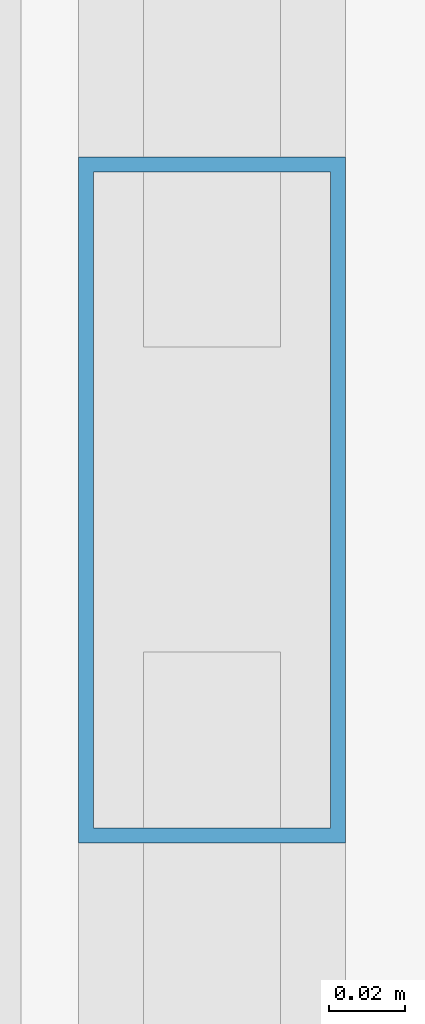
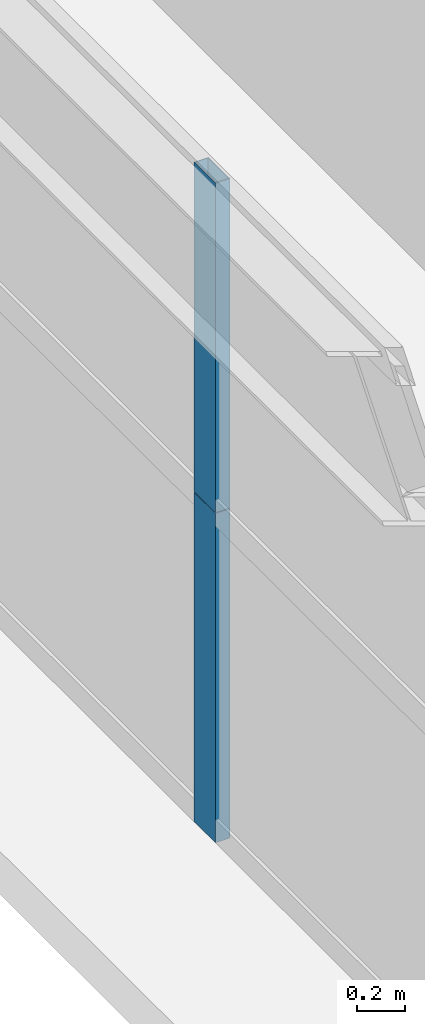
# One storey, part 24 of 43: 2 members, 1 element without a shape of its own.
"""IFC4 building model written with IfcOpenShell, lengths in metres."""

from ifc_helpers import new_model, si_unit, direction, frame, origin, origin_2d, place, context, subcontext, project, spatial, hollow_rectangle, extrude, source, transform, mapped, material, layer, layer_set, material_profile, profile_set, type_object, element, aggregate, save


model = new_model("IFC4")

# Units and contexts
model_context = context("Model", 3, precision=1e-05, world=origin(), true_north=direction((0.0, 1.0)))
body_context = subcontext(model_context, "Body", "Model", "MODEL_VIEW")
ifc_project = project(units=[si_unit("LENGTHUNIT", "METRE"), si_unit("AREAUNIT", "SQUARE_METRE"), si_unit("VOLUMEUNIT", "CUBIC_METRE"), si_unit("PLANEANGLEUNIT", "RADIAN"), si_unit("MASSUNIT", "GRAM", prefix="KILO"), si_unit("THERMODYNAMICTEMPERATUREUNIT", "KELVIN"), si_unit("POWERUNIT", "WATT")], contexts=[model_context])

# Site, building, storey
site_placement = place(None, origin())
site = spatial("IfcSite", under=ifc_project, at=site_placement, CompositionType="ELEMENT")
building_placement = place(site_placement, origin())
building = spatial("IfcBuilding", under=site, at=building_placement, Name="Yuzanri Waterfront Tower", CompositionType="ELEMENT")
storey_placement = place(building_placement, frame((0.0, 0.0, 138.0)))
storey = spatial("IfcBuildingStorey", under=building, at=storey_placement, Name="L36", CompositionType="ELEMENT", Elevation=138.0)

# Curtain wall, members
ifc_material_1 = material(Name="Anodized Architectural Bronze", Category="metal")
ifc_layer = layer(ifc_material_1, 0.159912109375)
ifc_layer_set = layer_set([ifc_layer], Name="Anodized Architectural Bronze")
curtain_wall_type = type_object("IfcCurtainWallType", Name="Anodized Bronze Hotel Upper-Tier Solar-Control Unitized Curtain Wall 7800", PredefinedType="NOTDEFINED", material=ifc_layer_set)
curtain_wall_placement = place(storey_placement, origin())
curtain_wall = element("IfcCurtainWall", 1, at=curtain_wall_placement, inside=storey, type_object=curtain_wall_type, Name="L36 Curtain Wall CW-L36-WR", PredefinedType="NOTDEFINED")
ifc_material_2 = material(Name="Anodized Architectural Bronze", Category="metal")
ifc_material_profile = material_profile(ifc_material_2, hollow_rectangle(XDim=0.070068359375, YDim=0.179931640625, WallThickness=0.00390625, at=origin_2d()), Name="CWM 70x180")
ifc_profile_set = profile_set([ifc_material_profile], Name="Anodized Architectural Bronze")
member_type = type_object("IfcMemberType", Name="Anodized Bronze Standard Curtain-Wall Mullion 70x180", PredefinedType="MULLION", material=ifc_profile_set)
shared_shape = source(origin(), body_context, "Body", "SweptSolid", [
    extrude(hollow_rectangle(XDim=0.070068359375, YDim=0.179931640625, WallThickness=0.00390625, at=origin_2d()), origin(), (0.0, 0.0, 1.0), 1.68798828125),
])
member_1_placement = place(storey_placement, frame((13.550048828125, 34.14990234375, 0.0), z_axis=(0.0, 0.0, 1.0), x_axis=(1.0, 0.0, 0.0)))
member_1 = element("IfcMember", 2, at=member_1_placement, type_object=member_type, Name="CW-L36-WR Lower Mullion 01", PredefinedType="MULLION", context=body_context, shape_type="MappedRepresentation", body=[
    mapped(shared_shape, transform((0.0, 0.0, 0.0), scale=1.0)),
])
member_2_placement = place(storey_placement, frame((13.550048828125, 34.14990234375, 1.69189453125), z_axis=(0.0, 0.0, 1.0), x_axis=(1.0, 0.0, 0.0)))
member_2 = element("IfcMember", 3, at=member_2_placement, type_object=member_type, Name="CW-L36-WR Upper Mullion 01", PredefinedType="MULLION", context=body_context, shape_type="MappedRepresentation", body=[
    mapped(shared_shape, transform((0.0, 0.0, 0.0), scale=1.0)),
])
aggregate(curtain_wall, [member_1, member_2])

save(model, "model.ifc")
